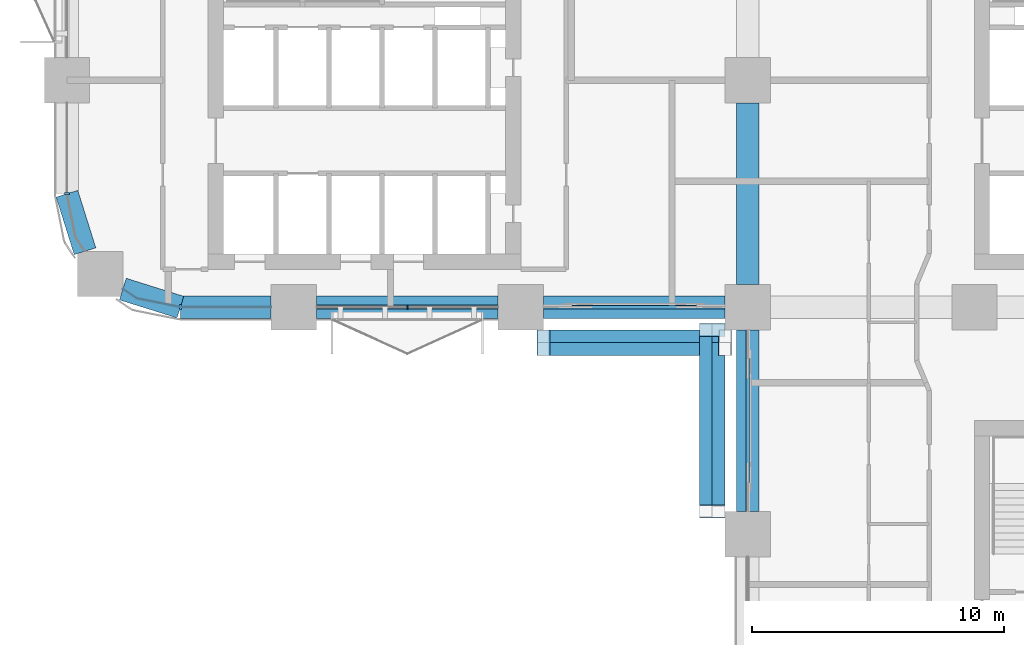
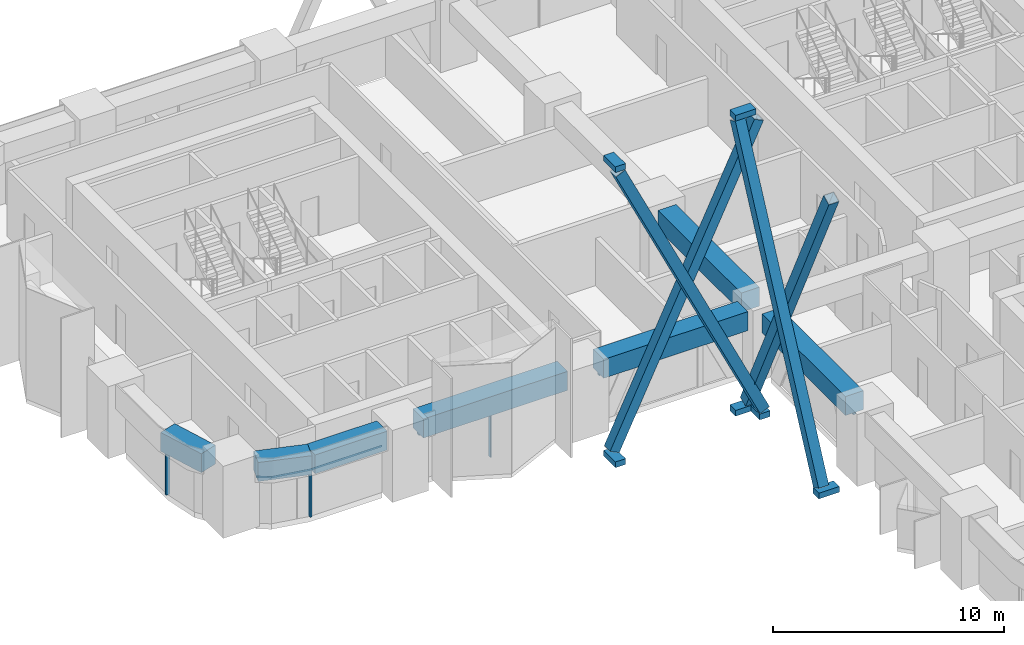
# One storey, part 3 of 19: 17 members, 7 beams, 5 elements without a shape of their own.
"""IFC4 building model written with IfcOpenShell, lengths in metres."""

from ifc_helpers import new_model, si_unit, direction, frame, origin, origin_2d, place, context, subcontext, project, spatial, polyline, rectangle, hollow_rectangle, outline, extrude, material, layer, layer_set, material_profile, profile_set, type_object, element, aggregate, save


model = new_model("IFC4")

# Units and contexts
model_context = context("Model", 3, precision=1e-05, world=origin(), true_north=direction((0.0, 1.0)))
body_context = subcontext(model_context, "Body", "Model", "MODEL_VIEW")
ifc_project = project(units=[si_unit("LENGTHUNIT", "METRE"), si_unit("AREAUNIT", "SQUARE_METRE"), si_unit("VOLUMEUNIT", "CUBIC_METRE"), si_unit("PLANEANGLEUNIT", "RADIAN"), si_unit("MASSUNIT", "GRAM", prefix="KILO")], contexts=[model_context])

# Site, building, storey
site_placement = place(None, origin())
site = spatial("IfcSite", under=ifc_project, at=site_placement, CompositionType="ELEMENT")
building_placement = place(site_placement, origin())
building = spatial("IfcBuilding", under=site, at=building_placement, Name="Tessera Arch", CompositionType="ELEMENT")
storey_placement = place(building_placement, frame((0.0, 0.0, 108.199951171875)))
storey = spatial("IfcBuildingStorey", under=building, at=storey_placement, Name="L25", CompositionType="ELEMENT", Elevation=108.199951171875)

# Members
ifc_material_1 = material(Name="Steel A500 Gr C", Category="steel")
ifc_material_profile_1 = material_profile(ifc_material_1, hollow_rectangle(XDim=0.508056640625, YDim=0.508056640625, WallThickness=0.0146484375, at=origin_2d()), Name="HSS20x20x5/8")
ifc_profile_set_1 = profile_set([ifc_material_profile_1], Name="Steel A500 Gr C")
member_type_1 = type_object("IfcMemberType", Name="Brace HSS20x20x5/8 Steel A500 Gr C", PredefinedType="BRACE", material=ifc_profile_set_1)
for number, where, z_axis, x_axis, name in (
    (1, (18.89990234375, 25.845947265625, -0.800048828125), (0.432740607972, 0.0, 0.90151847802), (0.0, 1.0, 0.0), "Brace S27.0-2 A L25-L28"),
    (2, (26.10009765625, 25.337890625, -0.800048828125), (-0.432740607972, 0.0, 0.90151847802), (0.0, -1.0, 0.0), "Brace S27.0-2 B L25-L28"),
    (3, (25.845947265625, 26.10009765625, -0.800048828125), (0.0, -0.432740607972, 0.90151847802), (1.0, 0.0, 0.0), "Brace W27.0-0 A L25-L28"),
    (4, (25.337890625, 18.89990234375, -0.800048828125), (0.0, 0.432740607972, 0.90151847802), (-1.0, 0.0, 0.0), "Brace W27.0-0 B L25-L28"),
):
    element("IfcMember", number, at=place(storey_placement, frame(where, z_axis=z_axis, x_axis=x_axis)), inside=storey, type_object=member_type_1, Name=name, PredefinedType="BRACE", context=body_context, shape_type="SweptSolid", body=[
        extrude(hollow_rectangle(XDim=0.508056640625, YDim=0.508056640625, WallThickness=0.0146484375, at=origin_2d()), origin(), (0.0, 0.0, 1.0), 16.638671875),
    ])

# Curtain wall, members
ifc_material_2 = material(Name="CW1 curtain wall")
curtain_wall_type_1 = type_object("IfcCurtainWallType", Name="CW1 curtain wall", PredefinedType="NOTDEFINED", material=ifc_material_2)
curtain_wall_1_placement = place(storey_placement, origin())
curtain_wall_1 = element("IfcCurtainWall", 5, at=curtain_wall_1_placement, inside=storey, type_object=curtain_wall_type_1, Name="CW1 curtain wall S27.0/1 L25", PredefinedType="NOTDEFINED")
ifc_material_3 = material(Name="Anodised aluminium pale metal", Category="aluminium")
ifc_material_profile_2 = material_profile(ifc_material_3, rectangle(XDim=0.159912109375, YDim=0.06005859375, at=origin_2d()), Name="AL 60x160")
ifc_profile_set_2 = profile_set([ifc_material_profile_2], Name="Anodised aluminium pale metal")
member_type_2 = type_object("IfcMemberType", Name="CW1 mullion", PredefinedType="MULLION", material=ifc_profile_set_2)
member_1_placement = place(storey_placement, frame((13.5, 27.0, 0.0), z_axis=(0.0, 0.0, 1.0), x_axis=(0.0, 1.0, 0.0)))
member_1 = element("IfcMember", 6, at=member_1_placement, type_object=member_type_2, Name="CW1 mullion S27.0/1 1", PredefinedType="MULLION", context=body_context, shape_type="SweptSolid", body=[
    extrude(rectangle(XDim=0.159912109375, YDim=0.06005859375, at=origin_2d()), origin(), (0.0, 0.0, 1.0), 2.400146484375),
])
ifc_material_4 = material(Name="Anodised aluminium pale metal", Category="aluminium")
ifc_material_profile_3 = material_profile(ifc_material_4, rectangle(XDim=0.159912109375, YDim=0.10009765625, at=origin_2d()), Name="AL 160x100")
ifc_profile_set_3 = profile_set([ifc_material_profile_3], Name="Anodised aluminium pale metal")
member_type_3 = type_object("IfcMemberType", Name="CW1 transom", PredefinedType="USERDEFINED", material=ifc_profile_set_3)
member_2_placement = place(storey_placement, frame((9.89990234375, 27.0, 2.449951171875), z_axis=(1.0, 0.0, 0.0), x_axis=(0.0, 1.0, 0.0)))
member_2 = element("IfcMember", 7, at=member_2_placement, type_object=member_type_3, Name="CW1 transom S27.0/1 1.1", ObjectType="TRANSOM", PredefinedType="USERDEFINED", context=body_context, shape_type="SweptSolid", body=[
    extrude(rectangle(XDim=0.159912109375, YDim=0.10009765625, at=origin_2d()), origin(), (0.0, 0.0, 1.0), 7.2001953125),
])
aggregate(curtain_wall_1, [member_1, member_2])

# Curtain wall, member
ifc_material_5 = material(Name="CW2 curtain wall")
curtain_wall_type_2 = type_object("IfcCurtainWallType", Name="CW2 curtain wall", PredefinedType="NOTDEFINED", material=ifc_material_5)
curtain_wall_2_placement = place(storey_placement, origin())
curtain_wall_2 = element("IfcCurtainWall", 8, at=curtain_wall_2_placement, inside=storey, type_object=curtain_wall_type_2, Name="CW2 curtain wall W0.27/2 L25", PredefinedType="NOTDEFINED")
ifc_material_6 = material(Name="Anodised aluminium pale metal", Category="aluminium")
ifc_material_profile_4 = material_profile(ifc_material_6, rectangle(XDim=0.199951171875, YDim=0.080078125, at=origin_2d()), Name="AL 80x200")
ifc_profile_set_4 = profile_set([ifc_material_profile_4], Name="Anodised aluminium pale metal")
member_type_4 = type_object("IfcMemberType", Name="CW2 mullion", PredefinedType="MULLION", material=ifc_profile_set_4)
member_3_placement = place(storey_placement, frame((0.0, 31.5, 0.0), z_axis=(0.0, 0.0, 1.0), x_axis=(1.0, 0.0, 0.0)))
member_3 = element("IfcMember", 9, at=member_3_placement, type_object=member_type_4, Name="CW2 mullion W0.27/2 1", PredefinedType="MULLION", context=body_context, shape_type="SweptSolid", body=[
    extrude(rectangle(XDim=0.199951171875, YDim=0.080078125, at=origin_2d()), origin(), (0.0, 0.0, 1.0), 2.400146484375),
])
aggregate(curtain_wall_2, [member_3])

# Curtain wall, members
curtain_wall_3_placement = place(storey_placement, origin())
curtain_wall_3 = element("IfcCurtainWall", 10, at=curtain_wall_3_placement, inside=storey, type_object=curtain_wall_type_2, Name="CW2 curtain wall S27.0/0 L25", PredefinedType="NOTDEFINED")
member_4_placement = place(storey_placement, frame((4.5, 27.0, 0.0), z_axis=(0.0, 0.0, 1.0), x_axis=(0.0, 1.0, 0.0)))
member_4 = element("IfcMember", 11, at=member_4_placement, type_object=member_type_4, Name="CW2 mullion S27.0/0 1", PredefinedType="MULLION", context=body_context, shape_type="SweptSolid", body=[
    extrude(rectangle(XDim=0.199951171875, YDim=0.080078125, at=origin_2d()), origin(), (0.0, 0.0, 1.0), 2.400146484375),
])
ifc_material_7 = material(Name="Anodised aluminium pale metal", Category="aluminium")
ifc_material_profile_5 = material_profile(ifc_material_7, rectangle(XDim=0.199951171875, YDim=0.10009765625, at=origin_2d()), Name="AL 200x100")
ifc_profile_set_5 = profile_set([ifc_material_profile_5], Name="Anodised aluminium pale metal")
member_type_5 = type_object("IfcMemberType", Name="CW2 transom", PredefinedType="USERDEFINED", material=ifc_profile_set_5)
member_5_placement = place(storey_placement, frame((0.0, 0.0, 2.400146484375)))
member_5 = element("IfcMember", 12, at=member_5_placement, type_object=member_type_5, Name="CW2 transom S27.0/0 1", ObjectType="TRANSOM", PredefinedType="USERDEFINED", context=body_context, shape_type="SweptSolid", body=[
    extrude(outline(polyline([(2.78173828125, 27.351806640625), (2.2236328125, 27.72509765625), (2.21240234375, 27.70849609375), (2.77392578125, 27.3330078125), (4.4990234375, 26.989990234375), (8.10009765625, 26.989990234375), (8.10009765625, 27.010009765625), (4.5009765625, 27.010009765625), (2.78173828125, 27.351806640625)])), origin(), (0.0, 0.0, 1.0), 0.099853515625),
])
aggregate(curtain_wall_3, [member_4, member_5])

# Curtain wall, member
ifc_material_8 = material(Name="CW3 curtain wall")
curtain_wall_type_3 = type_object("IfcCurtainWallType", Name="CW3 curtain wall", PredefinedType="NOTDEFINED", material=ifc_material_8)
curtain_wall_4_placement = place(storey_placement, origin())
curtain_wall_4 = element("IfcCurtainWall", 13, at=curtain_wall_4_placement, inside=storey, type_object=curtain_wall_type_3, Name="CW3 curtain wall S27.0/2 L25", PredefinedType="NOTDEFINED")
ifc_material_9 = material(Name="Anodised aluminium pale metal", Category="aluminium")
ifc_material_profile_6 = material_profile(ifc_material_9, rectangle(XDim=0.139892578125, YDim=0.10009765625, at=origin_2d()), Name="AL 140x100")
ifc_profile_set_6 = profile_set([ifc_material_profile_6], Name="Anodised aluminium pale metal")
member_type_6 = type_object("IfcMemberType", Name="CW3 transom", PredefinedType="USERDEFINED", material=ifc_profile_set_6)
member_6_placement = place(storey_placement, frame((18.89990234375, 27.0, 2.449951171875), z_axis=(1.0, 0.0, 0.0), x_axis=(0.0, 1.0, 0.0)))
member_6 = element("IfcMember", 14, at=member_6_placement, type_object=member_type_6, Name="CW3 transom S27.0/2 1.1", ObjectType="TRANSOM", PredefinedType="USERDEFINED", context=body_context, shape_type="SweptSolid", body=[
    extrude(rectangle(XDim=0.139892578125, YDim=0.10009765625, at=origin_2d()), origin(), (0.0, 0.0, 1.0), 7.2001953125),
])
aggregate(curtain_wall_4, [member_6])

curtain_wall_5_placement = place(storey_placement, origin())
curtain_wall_5 = element("IfcCurtainWall", 15, at=curtain_wall_5_placement, inside=storey, type_object=curtain_wall_type_3, Name="CW3 curtain wall W27.0/0 L25", PredefinedType="NOTDEFINED")
member_7_placement = place(storey_placement, frame((27.0, 26.10009765625, 2.449951171875), z_axis=(0.0, -1.0, 0.0), x_axis=(1.0, 0.0, 0.0)))
member_7 = element("IfcMember", 16, at=member_7_placement, type_object=member_type_6, Name="CW3 transom W27.0/0 1.1", ObjectType="TRANSOM", PredefinedType="USERDEFINED", context=body_context, shape_type="SweptSolid", body=[
    extrude(rectangle(XDim=0.139892578125, YDim=0.10009765625, at=origin_2d()), origin(), (0.0, 0.0, 1.0), 7.2001953125),
])
aggregate(curtain_wall_5, [member_7])

# Members
ifc_material_10 = material(Name="Steel A572 Gr50", Category="steel")
ifc_layer = layer(ifc_material_10, 0.050048828125)
ifc_layer_set = layer_set([ifc_layer], Name="Node block Steel A572 Gr50")
member_type_7 = type_object("IfcMemberType", Name="Node block Steel A572 Gr50", PredefinedType="PLATE", material=ifc_layer_set)
for number, where, z_axis, x_axis, name in (
    (17, (26.10009765625, 25.592041015625, -1.232421875), (0.0, 0.0, 1.0), (1.0, 0.0, 0.0), "Node block seat S27.0-2 1 L25"),
    (18, (18.89990234375, 25.592041015625, -1.232421875), (0.0, 0.0, 1.0), (1.0, 0.0, 0.0), "Node block seat S27.0-2 2 L25"),
    (19, (18.89990234375, 25.592041015625, 14.33251953125), (0.0, 0.0, 1.0), (1.0, 0.0, 0.0), "Node block head S27.0-2 B L25"),
    (20, (25.592041015625, 18.89990234375, -1.232421875), (0.0, 0.0, 1.0), (0.0, -1.0, 0.0), "Node block seat W27.0-0 1 L25"),
    (21, (25.592041015625, 26.10009765625, -1.232421875), (0.0, 0.0, 1.0), (0.0, -1.0, 0.0), "Node block seat W27.0-0 2 L25"),
    (22, (25.592041015625, 26.10009765625, 14.33251953125), (0.0, 0.0, 1.0), (0.0, -1.0, 0.0), "Node block head W27.0-0 B L25"),
):
    element("IfcMember", number, at=place(storey_placement, frame(where, z_axis=z_axis, x_axis=x_axis)), inside=storey, type_object=member_type_7, Name=name, PredefinedType="PLATE", context=body_context, shape_type="SweptSolid", body=[
        extrude(rectangle(XDim=0.508056640625, YDim=1.01611328125, at=origin_2d()), origin(), (0.0, 0.0, 1.0), 0.300048828125),
    ])

# Beams
ifc_material_11 = material(Name="Concrete C80/95", Category="concrete")
ifc_material_profile_7 = material_profile(ifc_material_11, rectangle(XDim=0.89990234375, YDim=1.0, at=origin_2d()), Name="RC spandrel beam 900 x 1000 Concrete C80/95")
ifc_profile_set_7 = profile_set([ifc_material_profile_7], Name="Concrete C80/95")
beam_type = type_object("IfcBeamType", Name="RC spandrel beam 900 x 1000 Concrete C80/95", PredefinedType="BEAM", material=ifc_profile_set_7)
for number, where, z_axis, x_axis, name in (
    (23, (0.0, 31.5, 3.0), (0.299675309057, -0.954041251279, 0.0), (0.954041251279, 0.299675309057, 0.0), "Spandrel beam L25 W0.27/2.2"),
    (24, (2.218017578125, 27.716796875, 3.0), (0.954041251279, -0.299675309057, 0.0), (0.299675309057, 0.954041251279, 0.0), "Spandrel beam L25 S27.0/0.1"),
):
    element("IfcBeam", number, at=place(storey_placement, frame(where, z_axis=z_axis, x_axis=x_axis)), inside=storey, type_object=beam_type, Name=name, PredefinedType="BEAM", context=body_context, shape_type="SweptSolid", body=[
        extrude(rectangle(XDim=0.89990234375, YDim=1.0, at=origin_2d()), origin(), (0.0, 0.0, 1.0), 2.391845703125),
    ])
beam_placement = place(storey_placement, frame((4.5, 27.0, 3.0), z_axis=(1.0, 0.0, 0.0), x_axis=(0.0, 1.0, 0.0)))
element("IfcBeam", 25, at=beam_placement, inside=storey, type_object=beam_type, Name="Spandrel beam L25 S27.0/0.2", PredefinedType="BEAM", context=body_context, shape_type="SweptSolid", body=[
    extrude(rectangle(XDim=0.89990234375, YDim=1.0, at=origin_2d()), origin(), (0.0, 0.0, 1.0), 3.60009765625),
])
for number, where, z_axis, x_axis, name in (
    (26, (9.89990234375, 27.0, 3.0), (1.0, 0.0, 0.0), (0.0, 1.0, 0.0), "Spandrel beam L25 S27.0/1"),
    (27, (18.89990234375, 27.0, 3.0), (1.0, 0.0, 0.0), (0.0, 1.0, 0.0), "Spandrel beam L25 S27.0/2"),
    (28, (27.0, 26.10009765625, 3.0), (0.0, -1.0, 0.0), (1.0, 0.0, 0.0), "Spandrel beam L25 W27.0/0"),
    (29, (27.0, 27.89990234375, 3.0), (0.0, 1.0, 0.0), (-1.0, 0.0, 0.0), "Interface beam L25 I0C4D-C4E"),
):
    element("IfcBeam", number, at=place(storey_placement, frame(where, z_axis=z_axis, x_axis=x_axis)), inside=storey, type_object=beam_type, Name=name, PredefinedType="BEAM", context=body_context, shape_type="SweptSolid", body=[
        extrude(rectangle(XDim=0.89990234375, YDim=1.0, at=origin_2d()), origin(), (0.0, 0.0, 1.0), 7.2001953125),
    ])

save(model, "model.ifc")
